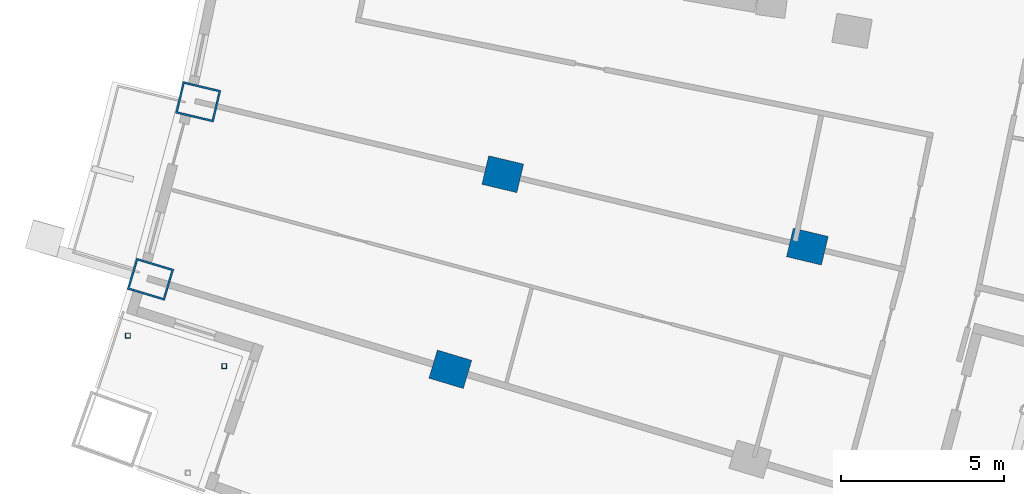
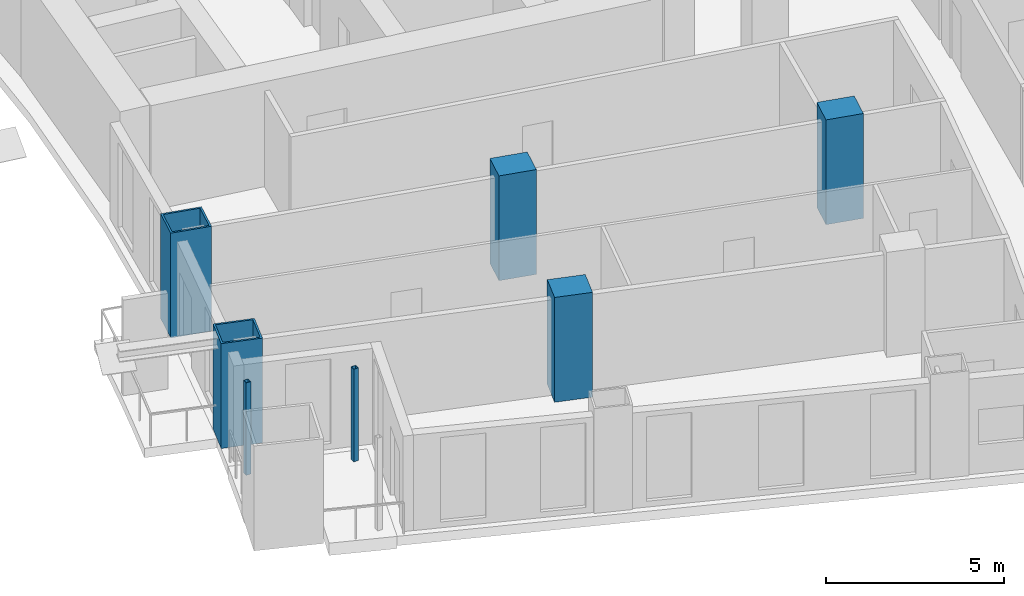
# One storey, part 3 of 25: 7 columns.
"""IFC4 building model written with IfcOpenShell, lengths in metres."""

from ifc_helpers import new_model, si_unit, direction, frame, origin, origin_2d, place, context, subcontext, project, spatial, rectangle, hollow_rectangle, extrude, material, material_profile, profile_set, type_object, element, save


model = new_model("IFC4")

# Units and contexts
model_context = context("Model", 3, precision=1e-05, world=origin(), true_north=direction((0.0, 1.0)))
body_context = subcontext(model_context, "Body", "Model", "MODEL_VIEW")
ifc_project = project(units=[si_unit("LENGTHUNIT", "METRE"), si_unit("AREAUNIT", "SQUARE_METRE"), si_unit("VOLUMEUNIT", "CUBIC_METRE"), si_unit("PLANEANGLEUNIT", "RADIAN"), si_unit("MASSUNIT", "GRAM", prefix="KILO")], contexts=[model_context])

# Site, building, storey
site_placement = place(None, origin())
site = spatial("IfcSite", under=ifc_project, at=site_placement, CompositionType="ELEMENT")
building_placement = place(site_placement, origin())
building = spatial("IfcBuilding", under=site, at=building_placement, Name="Alderwake Tower", CompositionType="ELEMENT")
storey_placement = place(building_placement, frame((0.0, 0.0, 60.800048828125)))
storey = spatial("IfcBuildingStorey", under=building, at=storey_placement, Name="L14", CompositionType="ELEMENT", Elevation=60.800048828125)

# Columns
ifc_material_1 = material(Name="Concrete C70/85", Category="concrete")
ifc_material_profile_1 = material_profile(ifc_material_1, rectangle(XDim=0.89990234375, YDim=1.10009765625, at=origin_2d()), Name="RC 1100X900")
ifc_profile_set_1 = profile_set([ifc_material_profile_1], Name="Concrete C70/85")
column_type_1 = type_object("IfcColumnType", Name="Interior column Z1", PredefinedType="COLUMN", material=ifc_profile_set_1)
for number, where, z_axis, x_axis, name in (
    (1, (21.714599609375, 30.46240234375, 0.0), (0.0, 0.0, 1.0), (0.287549418125, 0.957765802342, 0.0), "Column R02-C1"),
    (2, (23.322021484375, 36.444091796875, 0.0), (0.0, 0.0, 1.0), (0.231221547198, 0.972901123502, 0.0), "Column R03-C1"),
    (3, (32.661865234375, 34.224609375, 0.0), (0.0, 0.0, 1.0), (0.231221547198, 0.972901123502, 0.0), "Column R03-C2"),
):
    element("IfcColumn", number, at=place(storey_placement, frame(where, z_axis=z_axis, x_axis=x_axis)), inside=storey, type_object=column_type_1, Name=name, PredefinedType="COLUMN", context=body_context, shape_type="SweptSolid", body=[
        extrude(rectangle(XDim=0.89990234375, YDim=1.10009765625, at=origin_2d()), origin(), (0.0, 0.0, 1.0), 3.599853515625),
    ])
ifc_material_2 = material(Name="Steel ASTM A500 Grade C", Category="steel")
ifc_material_profile_2 = material_profile(ifc_material_2, hollow_rectangle(XDim=0.15234375, YDim=0.15234375, WallThickness=0.0087890625, at=origin_2d()), Name="HSS6X6X3/8")
ifc_profile_set_2 = profile_set([ifc_material_profile_2], Name="Steel ASTM A500 Grade C")
column_type_2 = type_object("IfcColumnType", Name="Light post HSS6X6X3/8", PredefinedType="COLUMN", material=ifc_profile_set_2)
for number, where, z_axis, x_axis, name in (
    (4, (11.82568359375, 31.492919921875, 0.0), (0.0, 0.0, 1.0), (1.0, 0.0, 0.0), "Terrace post RS1"),
    (5, (14.781494140625, 30.558349609375, 0.0), (0.0, 0.0, 1.0), (1.0, 0.0, 0.0), "Terrace post RS3"),
):
    element("IfcColumn", number, at=place(storey_placement, frame(where, z_axis=z_axis, x_axis=x_axis)), inside=storey, type_object=column_type_2, Name=name, PredefinedType="COLUMN", context=body_context, shape_type="SweptSolid", body=[
        extrude(hollow_rectangle(XDim=0.15234375, YDim=0.15234375, WallThickness=0.0087890625, at=origin_2d()), origin(), (0.0, 0.0, 1.0), 3.179931640625),
    ])
ifc_material_3 = material(Name="Steel ASTM A572 Grade 50 concrete filled C70/85", Category="concrete")
ifc_material_profile_3 = material_profile(ifc_material_3, hollow_rectangle(XDim=1.0, YDim=1.199951171875, WallThickness=0.06005859375, at=origin_2d()), Name="BOX 1200X1000X60")
ifc_profile_set_3 = profile_set([ifc_material_profile_3], Name="Steel ASTM A572 Grade 50 concrete filled C70/85")
column_type_3 = type_object("IfcColumnType", Name="Perimeter column Z1", PredefinedType="COLUMN", material=ifc_profile_set_3)
for number, where, z_axis, x_axis, name in (
    (6, (12.520263671875, 33.222900390625, 0.0), (0.0, 0.0, 1.0), (0.287549418125, 0.957765802342, 0.0), "Column R02-C0"),
    (7, (13.982177734375, 38.6640625, 0.0), (0.0, 0.0, 1.0), (0.231221547198, 0.972901123502, 0.0), "Column R03-C0"),
):
    element("IfcColumn", number, at=place(storey_placement, frame(where, z_axis=z_axis, x_axis=x_axis)), inside=storey, type_object=column_type_3, Name=name, PredefinedType="COLUMN", context=body_context, shape_type="SweptSolid", body=[
        extrude(hollow_rectangle(XDim=1.0, YDim=1.199951171875, WallThickness=0.06005859375, at=origin_2d()), origin(), (0.0, 0.0, 1.0), 3.599853515625),
    ])

save(model, "model.ifc")
